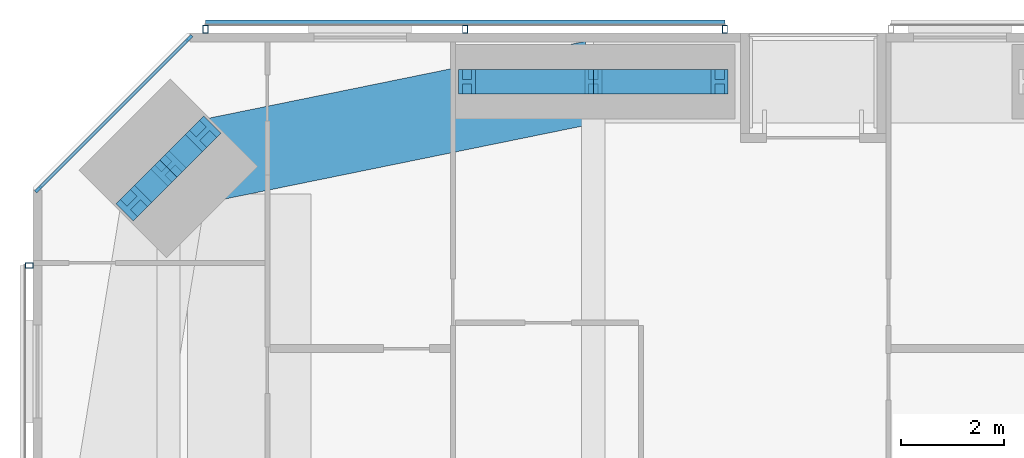
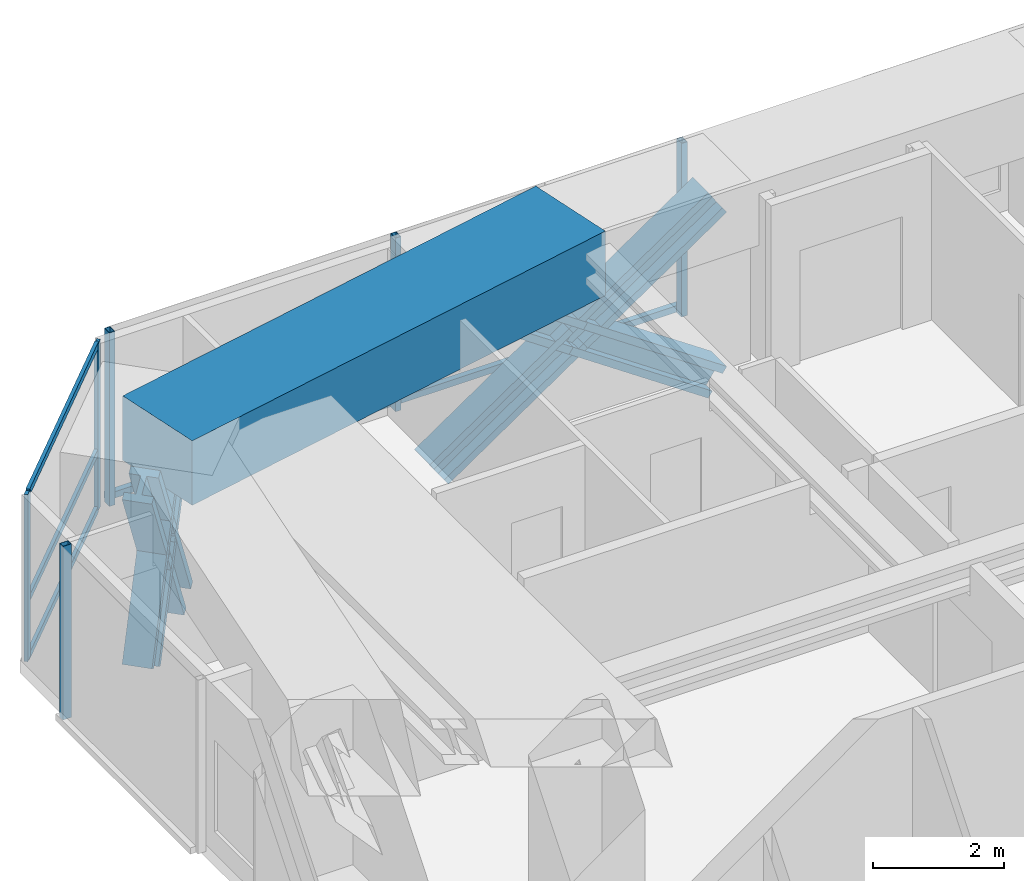
# One storey, part 12 of 24: 18 members, 1 beam, 3 elements without a shape of their own.
"""IFC4 building model written with IfcOpenShell, lengths in metres."""

from ifc_helpers import new_model, si_unit, direction, frame, origin, origin_2d, place, context, subcontext, project, spatial, rectangle, hollow_rectangle, i_section, extrude, material, material_profile, profile_set, type_object, element, aggregate, save


model = new_model("IFC4")

# Units and contexts
model_context = context("Model", 3, precision=1e-05, world=origin(), true_north=direction((0.0, 1.0)))
body_context = subcontext(model_context, "Body", "Model", "MODEL_VIEW")
ifc_project = project(units=[si_unit("LENGTHUNIT", "METRE"), si_unit("AREAUNIT", "SQUARE_METRE"), si_unit("VOLUMEUNIT", "CUBIC_METRE"), si_unit("PLANEANGLEUNIT", "RADIAN"), si_unit("MASSUNIT", "GRAM", prefix="KILO")], contexts=[model_context])

# Site, building, storey
site_placement = place(None, origin())
site = spatial("IfcSite", under=ifc_project, at=site_placement, CompositionType="ELEMENT")
building_placement = place(site_placement, origin())
building = spatial("IfcBuilding", under=site, at=building_placement, Name="Jalousie Tower", CompositionType="ELEMENT")
storey_placement = place(building_placement, frame((0.0, 0.0, 131.64990234375)))
storey = spatial("IfcBuildingStorey", under=building, at=storey_placement, Name="L36", CompositionType="ELEMENT", Elevation=131.64990234375)

# Curtain wall, members
ifc_material_1 = material(Name="Aluminium curtain wall", Category="aluminium")
curtain_wall_type_1 = type_object("IfcCurtainWallType", Name="CORNER WINDOW WALL", PredefinedType="USERDEFINED", material=ifc_material_1)
curtain_wall_1_placement = place(storey_placement, origin())
curtain_wall_1 = element("IfcCurtainWall", 1, at=curtain_wall_1_placement, inside=storey, type_object=curtain_wall_type_1, Name="Corner Window Wall L36 6", ObjectType="CORNER WINDOW WALL", PredefinedType="USERDEFINED")
ifc_material_2 = material(Name="Aluminium mullion", Category="aluminium")
ifc_material_profile_1 = material_profile(ifc_material_2, rectangle(XDim=0.06005859375, YDim=0.14990234375, at=origin_2d()), Name="MULLION 60x150")
ifc_profile_set_1 = profile_set([ifc_material_profile_1], Name="Aluminium mullion")
member_type_1 = type_object("IfcMemberType", Name="CORNER WINDOW WALL MULLION", PredefinedType="MULLION", material=ifc_profile_set_1)
member_1_placement = place(storey_placement, frame((9.030029296875, 37.891357421875, 0.0), z_axis=(0.0, 0.0, 1.0), x_axis=(0.707106781187, -0.707106781187, 0.0)))
member_1 = element("IfcMember", 2, at=member_1_placement, type_object=member_type_1, Name="CW-C mullion 1", PredefinedType="MULLION", context=body_context, shape_type="SweptSolid", body=[
    extrude(rectangle(XDim=0.06005859375, YDim=0.14990234375, at=origin_2d()), origin(), (0.0, 0.0, 1.0), 3.110107421875),
])
member_2_placement = place(storey_placement, frame((6.108642578125, 34.969970703125, 0.0), z_axis=(0.0, 0.0, 1.0), x_axis=(0.707106781187, -0.707106781187, 0.0)))
member_2 = element("IfcMember", 3, at=member_2_placement, type_object=member_type_1, Name="CW-C mullion 2", PredefinedType="MULLION", context=body_context, shape_type="SweptSolid", body=[
    extrude(rectangle(XDim=0.06005859375, YDim=0.14990234375, at=origin_2d()), origin(), (0.0, 0.0, 1.0), 3.110107421875),
])
ifc_material_3 = material(Name="Aluminium transom", Category="aluminium")
ifc_material_profile_2 = material_profile(ifc_material_3, rectangle(XDim=0.06005859375, YDim=0.1201171875, at=origin_2d()), Name="TRANSOM 60x120")
ifc_profile_set_2 = profile_set([ifc_material_profile_2], Name="Aluminium transom")
member_type_2 = type_object("IfcMemberType", Name="CORNER WINDOW WALL TRANSOM", PredefinedType="USERDEFINED", material=ifc_profile_set_2)
member_3_placement = place(storey_placement, frame((9.0087890625, 37.8701171875, 0.030029296875), z_axis=(-0.707106781187, -0.707106781187, 0.0), x_axis=(0.707106781187, -0.707106781187, 0.0)))
member_3 = element("IfcMember", 4, at=member_3_placement, type_object=member_type_2, Name="CW-C transom 1.1", ObjectType="TRANSOM", PredefinedType="USERDEFINED", context=body_context, shape_type="SweptSolid", body=[
    extrude(rectangle(XDim=0.06005859375, YDim=0.1201171875, at=origin_2d()), origin(), (0.0, 0.0, 1.0), 4.0712890625),
])
member_4_placement = place(storey_placement, frame((9.0087890625, 37.8701171875, 1.10009765625), z_axis=(-0.707106781187, -0.707106781187, 0.0), x_axis=(0.707106781187, -0.707106781187, 0.0)))
member_4 = element("IfcMember", 5, at=member_4_placement, type_object=member_type_2, Name="CW-C transom 1.2", ObjectType="TRANSOM", PredefinedType="USERDEFINED", context=body_context, shape_type="SweptSolid", body=[
    extrude(rectangle(XDim=0.06005859375, YDim=0.1201171875, at=origin_2d()), origin(), (0.0, 0.0, 1.0), 4.0712890625),
])
member_5_placement = place(storey_placement, frame((9.0087890625, 37.8701171875, 3.080078125), z_axis=(-0.707106781187, -0.707106781187, 0.0), x_axis=(0.707106781187, -0.707106781187, 0.0)))
member_5 = element("IfcMember", 6, at=member_5_placement, type_object=member_type_2, Name="CW-C transom 1.3", ObjectType="TRANSOM", PredefinedType="USERDEFINED", context=body_context, shape_type="SweptSolid", body=[
    extrude(rectangle(XDim=0.06005859375, YDim=0.1201171875, at=origin_2d()), origin(), (0.0, 0.0, 1.0), 4.0712890625),
])
aggregate(curtain_wall_1, [member_1, member_2, member_3, member_4, member_5])

# Members
ifc_material_4 = material(Name="Steel ASTM A992 Grade 50", Category="steel")
ifc_material_profile_3 = material_profile(ifc_material_4, i_section(OverallWidth=0.472412109375, OverallDepth=0.5791015625, WebThickness=0.094970703125, FlangeThickness=0.1298828125, at=origin_2d()), Name="W14X808")
ifc_profile_set_3 = profile_set([ifc_material_profile_3], Name="Steel ASTM A992 Grade 50")
member_type_3 = type_object("IfcMemberType", Name="PERIMETER BRACE W14X808", PredefinedType="BRACE", material=ifc_profile_set_3)
for number, where, z_axis, x_axis, name in (
    (7, (14.425048828125, 37.050048828125, -0.599853515625), (0.825500916831, 0.0, 0.564400776321), (0.0, 1.0, 0.0), "Perimeter brace 11 L36 part 1"),
    (8, (16.875, 37.050048828125, 1.0751953125), (0.825539243753, 0.0, 0.564344714713), (0.0, 1.0, 0.0), "Perimeter brace 11 L36 part 2"),
    (9, (19.324951171875, 37.050048828125, -0.599853515625), (-0.825500916831, 0.0, 0.564400776321), (0.0, -1.0, 0.0), "Perimeter brace 11 L36 part 3"),
    (10, (16.875, 37.050048828125, 1.0751953125), (-0.825539243753, 0.0, 0.564344714713), (0.0, -1.0, 0.0), "Perimeter brace 11 L36 part 4"),
):
    element("IfcMember", number, at=place(storey_placement, frame(where, z_axis=z_axis, x_axis=x_axis)), inside=storey, type_object=member_type_3, Name=name, PredefinedType="BRACE", context=body_context, shape_type="SweptSolid", body=[
        extrude(i_section(OverallWidth=0.472412109375, OverallDepth=0.5791015625, WebThickness=0.094970703125, FlangeThickness=0.1298828125, at=origin_2d()), origin(), (0.0, 0.0, 1.0), 2.9677734375),
    ])
member_6_placement = place(storey_placement, frame((9.302978515625, 36.040283203125, -0.599853515625), z_axis=(-0.348789058631, -0.348789058631, 0.869880672943), x_axis=(0.707106781187, -0.707106781187, 0.0)))
element("IfcMember", 11, at=member_6_placement, inside=storey, type_object=member_type_3, Name="Perimeter brace 12 L36 part 1", PredefinedType="BRACE", context=body_context, shape_type="SweptSolid", body=[
    extrude(i_section(OverallWidth=0.472412109375, OverallDepth=0.5791015625, WebThickness=0.094970703125, FlangeThickness=0.1298828125, at=origin_2d()), origin(), (0.0, 0.0, 1.0), 1.925537109375),
])
member_7_placement = place(storey_placement, frame((8.63134765625, 35.36865234375, 1.0751953125), z_axis=(-0.348827529765, -0.348827529765, 0.869849819771), x_axis=(0.707106781187, -0.707106781187, 0.0)))
element("IfcMember", 12, at=member_7_placement, inside=storey, type_object=member_type_3, Name="Perimeter brace 12 L36 part 2", PredefinedType="BRACE", context=body_context, shape_type="SweptSolid", body=[
    extrude(i_section(OverallWidth=0.472412109375, OverallDepth=0.5791015625, WebThickness=0.094970703125, FlangeThickness=0.1298828125, at=origin_2d()), origin(), (0.0, 0.0, 1.0), 1.92529296875),
])
member_8_placement = place(storey_placement, frame((7.959716796875, 34.697021484375, -0.599853515625), z_axis=(0.348789058631, 0.348789058631, 0.869880672943), x_axis=(-0.707106781187, 0.707106781187, 0.0)))
element("IfcMember", 13, at=member_8_placement, inside=storey, type_object=member_type_3, Name="Perimeter brace 12 L36 part 3", PredefinedType="BRACE", context=body_context, shape_type="SweptSolid", body=[
    extrude(i_section(OverallWidth=0.472412109375, OverallDepth=0.5791015625, WebThickness=0.094970703125, FlangeThickness=0.1298828125, at=origin_2d()), origin(), (0.0, 0.0, 1.0), 1.925537109375),
])
member_9_placement = place(storey_placement, frame((8.63134765625, 35.36865234375, 1.0751953125), z_axis=(0.348827529765, 0.348827529765, 0.869849819771), x_axis=(-0.707106781187, 0.707106781187, 0.0)))
element("IfcMember", 14, at=member_9_placement, inside=storey, type_object=member_type_3, Name="Perimeter brace 12 L36 part 4", PredefinedType="BRACE", context=body_context, shape_type="SweptSolid", body=[
    extrude(i_section(OverallWidth=0.472412109375, OverallDepth=0.5791015625, WebThickness=0.094970703125, FlangeThickness=0.1298828125, at=origin_2d()), origin(), (0.0, 0.0, 1.0), 1.92529296875),
])

# Beam
ifc_material_5 = material(Name="Concrete f'c 40 MPa", Category="concrete")
ifc_material_profile_4 = material_profile(ifc_material_5, rectangle(XDim=1.60009765625, YDim=1.199951171875, at=origin_2d()), Name="RC 1600x1200")
ifc_profile_set_4 = profile_set([ifc_material_profile_4], Name="Concrete f'c 40 MPa")
beam_type = type_object("IfcBeamType", Name="RC BEAM 1600x1200", PredefinedType="BEAM", material=ifc_profile_set_4)
beam_placement = place(storey_placement, frame((16.875, 37.050048828125, 2.75), z_axis=(-0.97982690954, -0.199848010602, 0.0), x_axis=(0.199848010602, -0.97982690954, 0.0)))
element("IfcBeam", 15, at=beam_placement, inside=storey, type_object=beam_type, Name="Edge band beam 11-12 under L37", PredefinedType="BEAM", context=body_context, shape_type="SweptSolid", body=[
    extrude(rectangle(XDim=1.60009765625, YDim=1.199951171875, at=origin_2d()), origin(), (0.0, 0.0, 1.0), 8.413330078125),
])

# Curtain wall, members
ifc_material_6 = material(Name="Perforated aluminium sheet", Category="aluminium")
curtain_wall_type_2 = type_object("IfcCurtainWallType", Name="SOLAR SCREEN SS-1", PredefinedType="USERDEFINED", material=ifc_material_6)
curtain_wall_2_placement = place(storey_placement, origin())
curtain_wall_2 = element("IfcCurtainWall", 16, at=curtain_wall_2_placement, inside=storey, type_object=curtain_wall_type_2, Name="Solar screen L36", ObjectType="SOLAR SCREEN SS-1", PredefinedType="USERDEFINED")
ifc_material_7 = material(Name="Steel ASTM A500 Grade C", Category="steel")
ifc_material_profile_5 = material_profile(ifc_material_7, hollow_rectangle(XDim=0.1015625, YDim=0.15234375, WallThickness=0.00634765625, at=origin_2d()), Name="HSS6X4X1/4")
ifc_profile_set_5 = profile_set([ifc_material_profile_5], Name="Steel ASTM A500 Grade C")
member_type_4 = type_object("IfcMemberType", Name="SOLAR SCREEN SS-1 MULLION", PredefinedType="MULLION", material=ifc_profile_set_5)
member_10_placement = place(storey_placement, frame((19.425048828125, 38.0712890625, -0.119873046875), z_axis=(0.0, 0.0, 1.0), x_axis=(-1.0, 0.0, 0.0)))
member_10 = element("IfcMember", 17, at=member_10_placement, type_object=member_type_4, Name="SS1 post 1", PredefinedType="MULLION", context=body_context, shape_type="SweptSolid", body=[
    extrude(hollow_rectangle(XDim=0.1015625, YDim=0.15234375, WallThickness=0.00634765625, at=origin_2d()), origin(), (0.0, 0.0, 1.0), 3.22998046875),
])
member_11_placement = place(storey_placement, frame((14.38818359375, 38.0712890625, -0.119873046875), z_axis=(0.0, 0.0, 1.0), x_axis=(-1.0, 0.0, 0.0)))
member_11 = element("IfcMember", 18, at=member_11_placement, type_object=member_type_4, Name="SS1 post 2", PredefinedType="MULLION", context=body_context, shape_type="SweptSolid", body=[
    extrude(hollow_rectangle(XDim=0.1015625, YDim=0.15234375, WallThickness=0.00634765625, at=origin_2d()), origin(), (0.0, 0.0, 1.0), 3.22998046875),
])
member_12_placement = place(storey_placement, frame((9.351318359375, 38.0712890625, -0.119873046875), z_axis=(0.0, 0.0, 1.0), x_axis=(-1.0, 0.0, 0.0)))
member_12 = element("IfcMember", 19, at=member_12_placement, type_object=member_type_4, Name="SS1 post 3", PredefinedType="MULLION", context=body_context, shape_type="SweptSolid", body=[
    extrude(hollow_rectangle(XDim=0.1015625, YDim=0.15234375, WallThickness=0.00634765625, at=origin_2d()), origin(), (0.0, 0.0, 1.0), 3.22998046875),
])

# Curtain wall, member
curtain_wall_3_placement = place(storey_placement, origin())
curtain_wall_3 = element("IfcCurtainWall", 20, at=curtain_wall_3_placement, inside=storey, type_object=curtain_wall_type_2, Name="Solar screen L36", ObjectType="SOLAR SCREEN SS-1", PredefinedType="USERDEFINED")
member_13_placement = place(storey_placement, frame((5.9287109375, 33.486083984375, -0.119873046875), z_axis=(0.0, 0.0, 1.0), x_axis=(0.0, -1.0, 0.0)))
member_13 = element("IfcMember", 21, at=member_13_placement, type_object=member_type_4, Name="SS1 post 1", PredefinedType="MULLION", context=body_context, shape_type="SweptSolid", body=[
    extrude(hollow_rectangle(XDim=0.1015625, YDim=0.15234375, WallThickness=0.00634765625, at=origin_2d()), origin(), (0.0, 0.0, 1.0), 3.22998046875),
])
aggregate(curtain_wall_3, [member_13])

# Member
ifc_material_8 = material(Name="Extruded aluminium screen rail", Category="aluminium")
ifc_material_profile_6 = material_profile(ifc_material_8, rectangle(XDim=0.1015625, YDim=0.1201171875, at=origin_2d()), Name="RAIL 102x120")
ifc_profile_set_6 = profile_set([ifc_material_profile_6], Name="Extruded aluminium screen rail")
member_type_5 = type_object("IfcMemberType", Name="SOLAR SCREEN SS-1 TRANSOM", PredefinedType="USERDEFINED", material=ifc_profile_set_6)
member_14_placement = place(storey_placement, frame((19.425048828125, 38.1982421875, -0.059814453125), z_axis=(-1.0, 0.0, 0.0), x_axis=(0.0, -1.0, 0.0)))
member_14 = element("IfcMember", 22, at=member_14_placement, type_object=member_type_5, Name="SS1 rail", ObjectType="TRANSOM", PredefinedType="USERDEFINED", context=body_context, shape_type="SweptSolid", body=[
    extrude(rectangle(XDim=0.1015625, YDim=0.1201171875, at=origin_2d()), origin(), (0.0, 0.0, 1.0), 10.07373046875),
])

aggregate(curtain_wall_2, [member_10, member_11, member_12, member_14])

save(model, "model.ifc")
